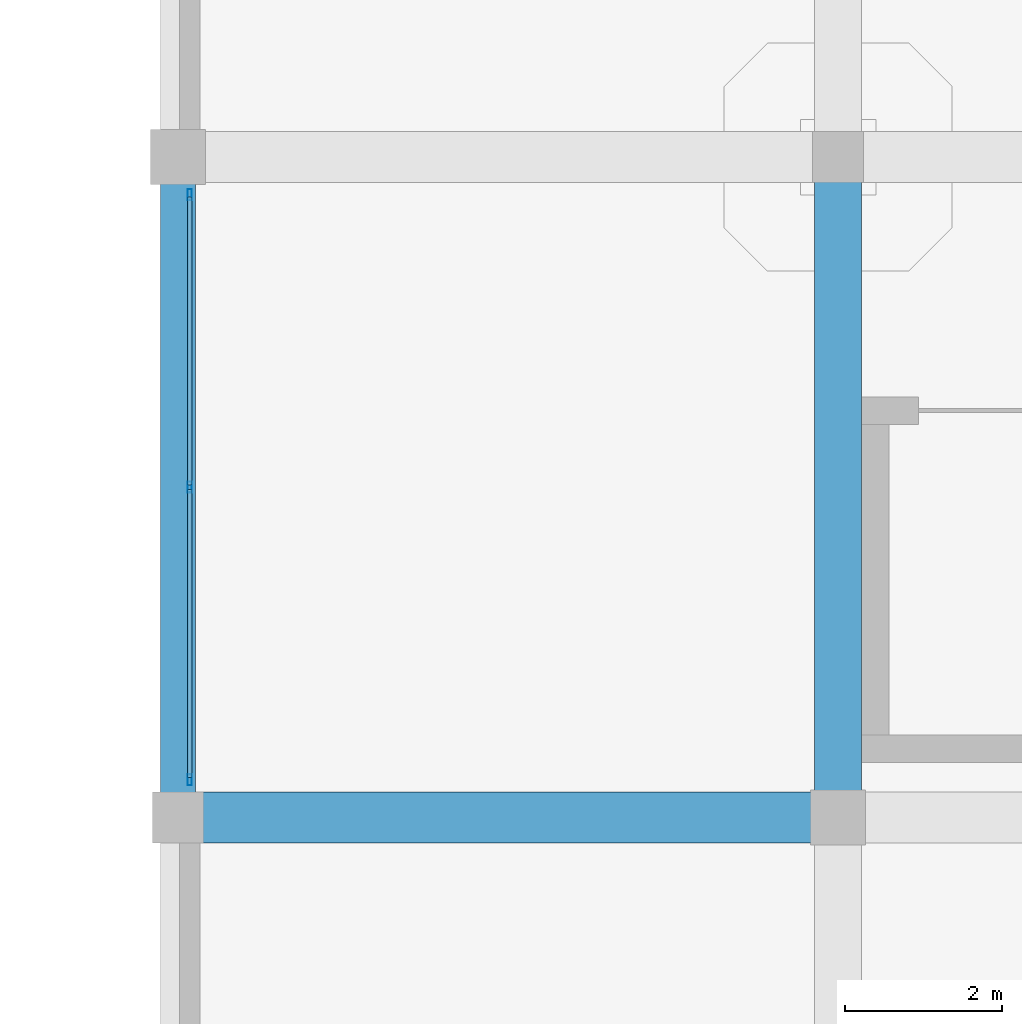
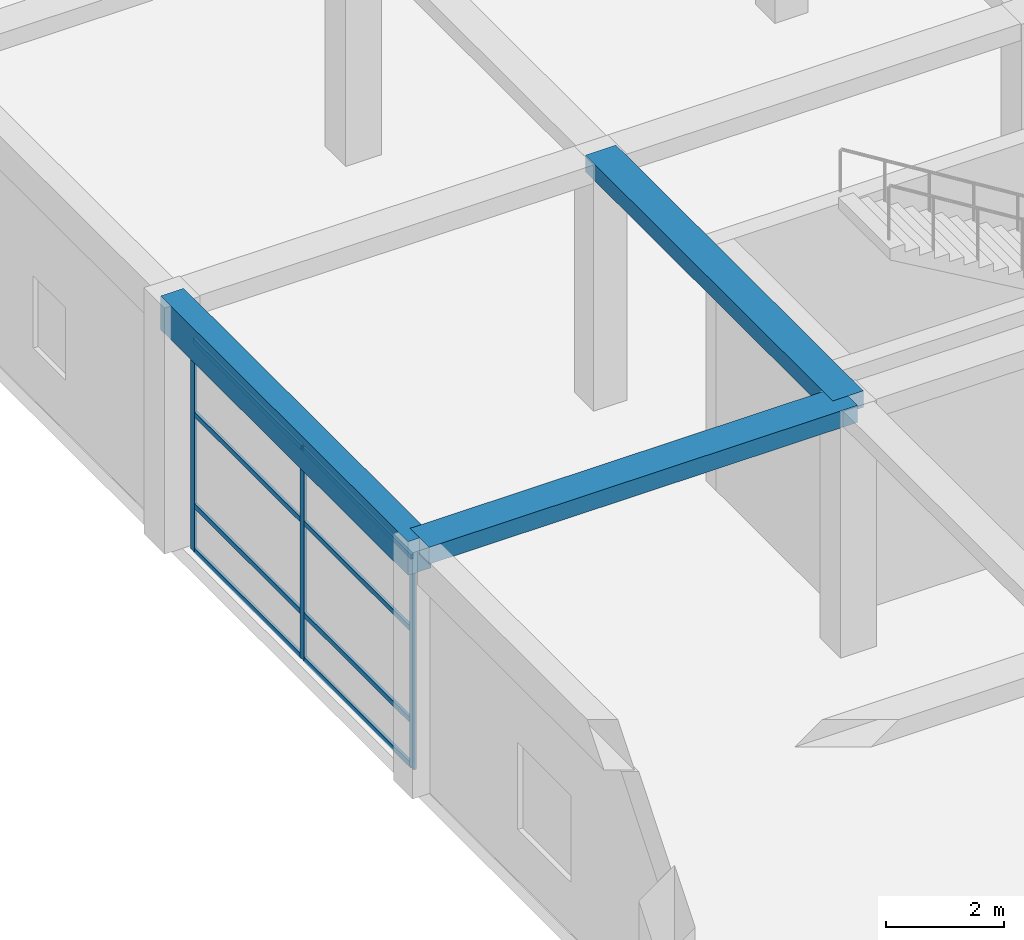
# One storey, part 33 of 95: 11 members, 3 beams, 1 element without a shape of its own.
"""IFC4 building model written with IfcOpenShell, lengths in metres."""

from ifc_helpers import new_model, si_unit, direction, frame, origin, origin_2d, place, context, subcontext, project, spatial, rectangle, hollow_rectangle, extrude, material, material_profile, profile_set, type_object, element, aggregate, save


model = new_model("IFC4")

# Units and contexts
model_context = context("Model", 3, precision=1e-05, world=origin(), true_north=direction((0.0, 1.0)))
body_context = subcontext(model_context, "Body", "Model", "MODEL_VIEW")
ifc_project = project(units=[si_unit("LENGTHUNIT", "METRE"), si_unit("AREAUNIT", "SQUARE_METRE"), si_unit("VOLUMEUNIT", "CUBIC_METRE"), si_unit("PLANEANGLEUNIT", "RADIAN"), si_unit("MASSUNIT", "GRAM", prefix="KILO")], contexts=[model_context])

# Site, building, storey
site_placement = place(None, origin())
site = spatial("IfcSite", under=ifc_project, at=site_placement, CompositionType="ELEMENT")
building_placement = place(site_placement, origin())
building = spatial("IfcBuilding", under=site, at=building_placement, Name="Almacenes y Pasaje Nevantli", CompositionType="ELEMENT")
storey_placement = place(building_placement, frame((0.0, 0.0, 11.39990234375)))
storey = spatial("IfcBuildingStorey", under=building, at=storey_placement, Name="L03", CompositionType="ELEMENT", Elevation=11.39990234375)

# Beams
ifc_material_1 = material(Name="Concrete C35/45", Category="concrete")
ifc_material_profile_1 = material_profile(ifc_material_1, rectangle(XDim=0.449951171875, YDim=0.699951171875, at=origin_2d()), Name="RC-BM-450x700")
ifc_profile_set_1 = profile_set([ifc_material_profile_1], Name="Concrete C35/45")
beam_type_1 = type_object("IfcBeamType", Name="BM-RC-450x700", PredefinedType="SPANDREL", material=ifc_profile_set_1)
beam_1_placement = place(storey_placement, frame((0.0, 92.39990234375, 4.75), z_axis=(0.0, 1.0, 0.0), x_axis=(-1.0, 0.0, 0.0)))
element("IfcBeam", 1, at=beam_1_placement, inside=storey, type_object=beam_type_1, Name="L03 North-South Reinforced Concrete Beam #2488", PredefinedType="SPANDREL", context=body_context, shape_type="SweptSolid", body=[
    extrude(rectangle(XDim=0.449951171875, YDim=0.699951171875, at=origin_2d()), origin(), (0.0, 0.0, 1.0), 8.400146484375),
])
ifc_material_2 = material(Name="Concrete C35/45", Category="concrete")
ifc_material_profile_2 = material_profile(ifc_material_2, rectangle(XDim=0.60009765625, YDim=0.340087890625, at=origin_2d()), Name="RC-BM-600x340")
ifc_profile_set_2 = profile_set([ifc_material_profile_2], Name="Concrete C35/45")
beam_type_2 = type_object("IfcBeamType", Name="BM-RC-600x340", PredefinedType="BEAM", material=ifc_profile_set_2)
beam_2_placement = place(storey_placement, frame((8.39990234375, 92.39990234375, 4.93017578125), z_axis=(0.0, 1.0, 0.0), x_axis=(-1.0, 0.0, 0.0)))
element("IfcBeam", 2, at=beam_2_placement, inside=storey, type_object=beam_type_2, Name="L03 North-South Reinforced Concrete Beam #2499", PredefinedType="BEAM", context=body_context, shape_type="SweptSolid", body=[
    extrude(rectangle(XDim=0.60009765625, YDim=0.340087890625, at=origin_2d()), origin(), (0.0, 0.0, 1.0), 8.400146484375),
])
ifc_material_3 = material(Name="Concrete C35/45", Category="concrete")
ifc_material_profile_3 = material_profile(ifc_material_3, rectangle(XDim=0.64990234375, YDim=0.35009765625, at=origin_2d()), Name="RC-BM-650x350")
ifc_profile_set_3 = profile_set([ifc_material_profile_3], Name="Concrete C35/45")
beam_type_3 = type_object("IfcBeamType", Name="BM-RC-650x350", PredefinedType="BEAM", material=ifc_profile_set_3)
beam_3_placement = place(storey_placement, frame((0.0, 92.39990234375, 4.925048828125), z_axis=(1.0, 0.0, 0.0), x_axis=(0.0, 1.0, 0.0)))
element("IfcBeam", 3, at=beam_3_placement, inside=storey, type_object=beam_type_3, Name="L03 East-West Reinforced Concrete Beam #2409", PredefinedType="BEAM", context=body_context, shape_type="SweptSolid", body=[
    extrude(rectangle(XDim=0.64990234375, YDim=0.35009765625, at=origin_2d()), origin(), (0.0, 0.0, 1.0), 8.39990234375),
])

# Curtain wall, members
ifc_material_4 = material(Name="Thermally Broken Aluminium and Low-E Glass", Category="aluminium")
curtain_wall_type = type_object("IfcCurtainWallType", Name="CW-UNIT-PODIUM", PredefinedType="USERDEFINED", material=ifc_material_4)
curtain_wall_placement = place(storey_placement, origin())
curtain_wall = element("IfcCurtainWall", 4, at=curtain_wall_placement, inside=storey, type_object=curtain_wall_type, Name="L03 West Avenue Unitized Curtain Wall Bay 12", ObjectType="UNITIZED CURTAIN WALL", PredefinedType="USERDEFINED")
ifc_material_5 = material(Name="Thermally Broken Anodized Aluminium", Category="aluminium")
ifc_material_profile_4 = material_profile(ifc_material_5, hollow_rectangle(XDim=0.054931640625, YDim=0.139892578125, WallThickness=0.00341796875, at=origin_2d()), Name="ALU-MUL-55x140")
ifc_profile_set_4 = profile_set([ifc_material_profile_4], Name="Thermally Broken Anodized Aluminium")
member_type_1 = type_object("IfcMemberType", Name="CW-MUL-160", PredefinedType="MULLION", material=ifc_profile_set_4)
member_1_placement = place(storey_placement, frame((0.14990234375, 92.87744140625, 0.0), z_axis=(0.0, 0.0, 1.0), x_axis=(-1.0, 0.0, 0.0)))
member_1 = element("IfcMember", 5, at=member_1_placement, type_object=member_type_1, Name="CW-L03-052 mullion 1", PredefinedType="MULLION", context=body_context, shape_type="SweptSolid", body=[
    extrude(hollow_rectangle(XDim=0.054931640625, YDim=0.139892578125, WallThickness=0.00341796875, at=origin_2d()), origin(), (0.0, 0.0, 1.0), 4.380126953125),
])
member_2_placement = place(storey_placement, frame((0.14990234375, 96.60009765625, 0.0), z_axis=(0.0, 0.0, 1.0), x_axis=(-1.0, 0.0, 0.0)))
member_2 = element("IfcMember", 6, at=member_2_placement, type_object=member_type_1, Name="CW-L03-052 mullion 2", PredefinedType="MULLION", context=body_context, shape_type="SweptSolid", body=[
    extrude(hollow_rectangle(XDim=0.054931640625, YDim=0.139892578125, WallThickness=0.00341796875, at=origin_2d()), origin(), (0.0, 0.0, 1.0), 4.380126953125),
])
member_3_placement = place(storey_placement, frame((0.14990234375, 100.322509765625, 0.0), z_axis=(0.0, 0.0, 1.0), x_axis=(-1.0, 0.0, 0.0)))
member_3 = element("IfcMember", 7, at=member_3_placement, type_object=member_type_1, Name="CW-L03-052 mullion 3", PredefinedType="MULLION", context=body_context, shape_type="SweptSolid", body=[
    extrude(hollow_rectangle(XDim=0.054931640625, YDim=0.139892578125, WallThickness=0.00341796875, at=origin_2d()), origin(), (0.0, 0.0, 1.0), 4.380126953125),
])
ifc_material_6 = material(Name="Thermally Broken Anodized Aluminium", Category="aluminium")
ifc_material_profile_5 = material_profile(ifc_material_6, hollow_rectangle(XDim=0.054931640625, YDim=0.10498046875, WallThickness=0.003173828125, at=origin_2d()), Name="ALU-TRN-55x105")
ifc_profile_set_5 = profile_set([ifc_material_profile_5], Name="Thermally Broken Anodized Aluminium")
member_type_2 = type_object("IfcMemberType", Name="CW-TRN-120", PredefinedType="USERDEFINED", material=ifc_profile_set_5)
member_4_placement = place(storey_placement, frame((0.14990234375, 92.905029296875, 0.027587890625), z_axis=(0.0, 1.0, 0.0), x_axis=(-1.0, 0.0, 0.0)))
member_4 = element("IfcMember", 8, at=member_4_placement, type_object=member_type_2, Name="CW-L03-052 transom 1.1", ObjectType="TRANSOM", PredefinedType="USERDEFINED", context=body_context, shape_type="SweptSolid", body=[
    extrude(hollow_rectangle(XDim=0.054931640625, YDim=0.10498046875, WallThickness=0.003173828125, at=origin_2d()), origin(), (0.0, 0.0, 1.0), 3.66748046875),
])
member_5_placement = place(storey_placement, frame((0.14990234375, 92.905029296875, 0.9501953125), z_axis=(0.0, 1.0, 0.0), x_axis=(-1.0, 0.0, 0.0)))
member_5 = element("IfcMember", 9, at=member_5_placement, type_object=member_type_2, Name="CW-L03-052 transom 1.2", ObjectType="TRANSOM", PredefinedType="USERDEFINED", context=body_context, shape_type="SweptSolid", body=[
    extrude(hollow_rectangle(XDim=0.054931640625, YDim=0.10498046875, WallThickness=0.003173828125, at=origin_2d()), origin(), (0.0, 0.0, 1.0), 3.66748046875),
])
member_6_placement = place(storey_placement, frame((0.14990234375, 92.905029296875, 2.85009765625), z_axis=(0.0, 1.0, 0.0), x_axis=(-1.0, 0.0, 0.0)))
member_6 = element("IfcMember", 10, at=member_6_placement, type_object=member_type_2, Name="CW-L03-052 transom 1.3", ObjectType="TRANSOM", PredefinedType="USERDEFINED", context=body_context, shape_type="SweptSolid", body=[
    extrude(hollow_rectangle(XDim=0.054931640625, YDim=0.10498046875, WallThickness=0.003173828125, at=origin_2d()), origin(), (0.0, 0.0, 1.0), 3.66748046875),
])
member_7_placement = place(storey_placement, frame((0.14990234375, 92.905029296875, 4.3525390625), z_axis=(0.0, 1.0, 0.0), x_axis=(-1.0, 0.0, 0.0)))
member_7 = element("IfcMember", 11, at=member_7_placement, type_object=member_type_2, Name="CW-L03-052 transom 1.4", ObjectType="TRANSOM", PredefinedType="USERDEFINED", context=body_context, shape_type="SweptSolid", body=[
    extrude(hollow_rectangle(XDim=0.054931640625, YDim=0.10498046875, WallThickness=0.003173828125, at=origin_2d()), origin(), (0.0, 0.0, 1.0), 3.66748046875),
])
member_8_placement = place(storey_placement, frame((0.14990234375, 96.62744140625, 0.027587890625), z_axis=(0.0, 1.0, 0.0), x_axis=(-1.0, 0.0, 0.0)))
member_8 = element("IfcMember", 12, at=member_8_placement, type_object=member_type_2, Name="CW-L03-052 transom 2.1", ObjectType="TRANSOM", PredefinedType="USERDEFINED", context=body_context, shape_type="SweptSolid", body=[
    extrude(hollow_rectangle(XDim=0.054931640625, YDim=0.10498046875, WallThickness=0.003173828125, at=origin_2d()), origin(), (0.0, 0.0, 1.0), 3.66748046875),
])
member_9_placement = place(storey_placement, frame((0.14990234375, 96.62744140625, 0.9501953125), z_axis=(0.0, 1.0, 0.0), x_axis=(-1.0, 0.0, 0.0)))
member_9 = element("IfcMember", 13, at=member_9_placement, type_object=member_type_2, Name="CW-L03-052 transom 2.2", ObjectType="TRANSOM", PredefinedType="USERDEFINED", context=body_context, shape_type="SweptSolid", body=[
    extrude(hollow_rectangle(XDim=0.054931640625, YDim=0.10498046875, WallThickness=0.003173828125, at=origin_2d()), origin(), (0.0, 0.0, 1.0), 3.66748046875),
])
member_10_placement = place(storey_placement, frame((0.14990234375, 96.62744140625, 2.85009765625), z_axis=(0.0, 1.0, 0.0), x_axis=(-1.0, 0.0, 0.0)))
member_10 = element("IfcMember", 14, at=member_10_placement, type_object=member_type_2, Name="CW-L03-052 transom 2.3", ObjectType="TRANSOM", PredefinedType="USERDEFINED", context=body_context, shape_type="SweptSolid", body=[
    extrude(hollow_rectangle(XDim=0.054931640625, YDim=0.10498046875, WallThickness=0.003173828125, at=origin_2d()), origin(), (0.0, 0.0, 1.0), 3.66748046875),
])
member_11_placement = place(storey_placement, frame((0.14990234375, 96.62744140625, 4.3525390625), z_axis=(0.0, 1.0, 0.0), x_axis=(-1.0, 0.0, 0.0)))
member_11 = element("IfcMember", 15, at=member_11_placement, type_object=member_type_2, Name="CW-L03-052 transom 2.4", ObjectType="TRANSOM", PredefinedType="USERDEFINED", context=body_context, shape_type="SweptSolid", body=[
    extrude(hollow_rectangle(XDim=0.054931640625, YDim=0.10498046875, WallThickness=0.003173828125, at=origin_2d()), origin(), (0.0, 0.0, 1.0), 3.66748046875),
])
aggregate(curtain_wall, [member_1, member_2, member_3, member_4, member_5, member_6, member_7, member_8, member_9, member_10, member_11])

save(model, "model.ifc")
